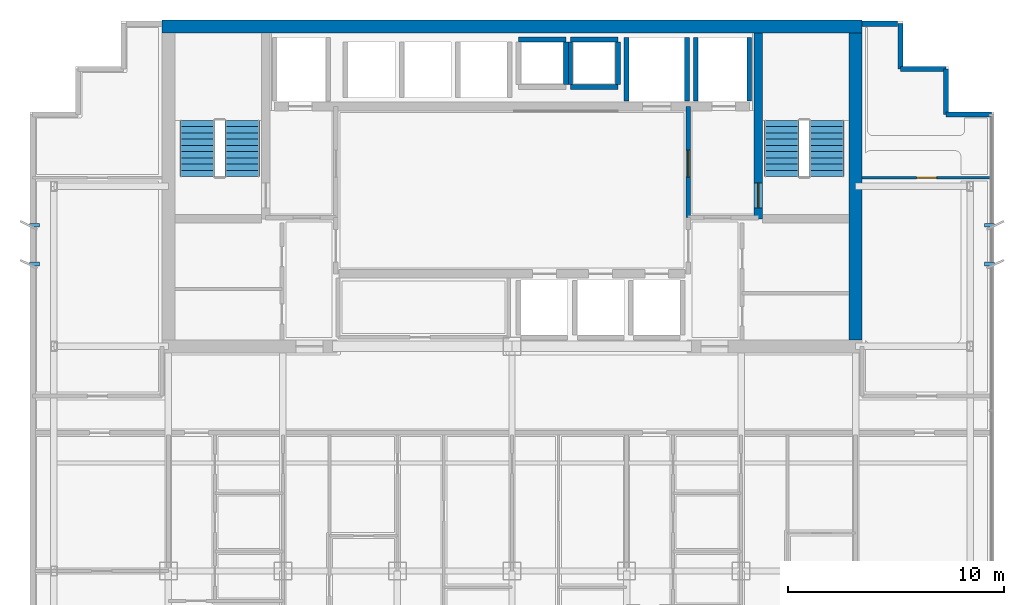
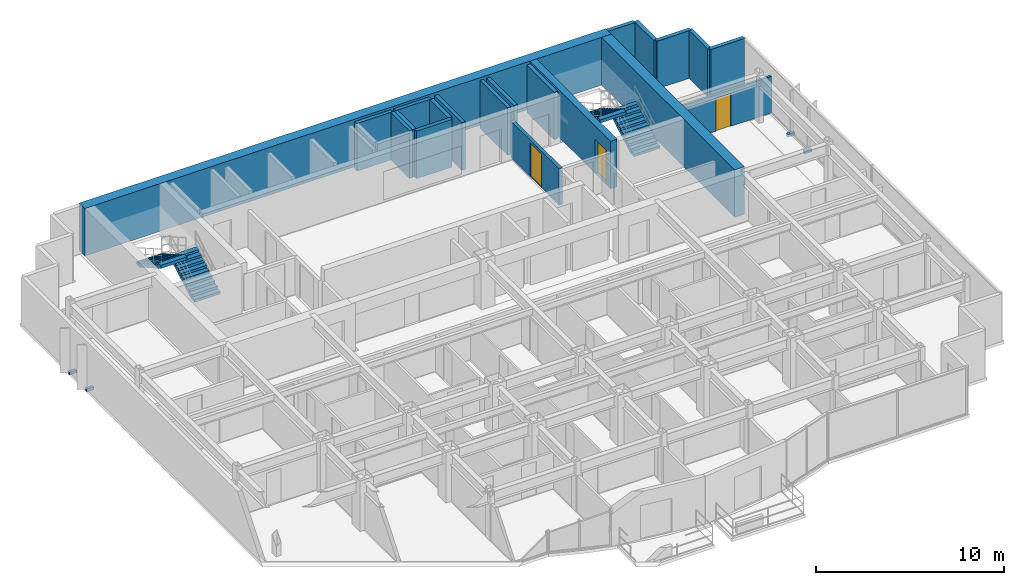
# One storey, part 11 of 13: 20 walls, 4 discrete accessories, 4 stair flights, 3 doors, 3 openings, 2 elements without a shape of their own.
"""IFC4 building model written with IfcOpenShell, lengths in metres."""

from ifc_helpers import new_model, si_unit, direction, frame, frame_2d, origin, origin_2d, place, context, subcontext, project, spatial, polyline, rectangle, outline, extrude, source, transform, mapped, material, layer, layer_set, type_object, element, fill, aggregate, save


model = new_model("IFC4")

# Units and contexts
model_context = context("Model", 3, precision=1e-05, world=origin(), true_north=direction((0.0, 1.0)))
body_context = subcontext(model_context, "Body", "Model", "MODEL_VIEW")
ifc_project = project(units=[si_unit("LENGTHUNIT", "METRE"), si_unit("AREAUNIT", "SQUARE_METRE"), si_unit("VOLUMEUNIT", "CUBIC_METRE"), si_unit("PLANEANGLEUNIT", "RADIAN"), si_unit("MASSUNIT", "GRAM", prefix="KILO")], contexts=[model_context])

# Site, building, storey
site_placement = place(None, origin())
site = spatial("IfcSite", under=ifc_project, at=site_placement, CompositionType="ELEMENT")
building_placement = place(site_placement, origin())
building = spatial("IfcBuilding", under=site, at=building_placement, Name="Qianlan Lanfeng Residences", CompositionType="ELEMENT")
storey_placement = place(building_placement, frame((0.0, 0.0, 178.800048828125)))
storey = spatial("IfcBuildingStorey", under=building, at=storey_placement, Name="L49", CompositionType="ELEMENT", Elevation=178.800048828125)

# Wall, opening, door
ifc_material_1 = material(Name="Concrete C56", Category="concrete")
ifc_layer_1 = layer(ifc_material_1, 0.39990234375)
ifc_layer_set_1 = layer_set([ifc_layer_1], Name="Concrete C56")
wall_type_1 = type_object("IfcWallType", Name="CW-RC-400", PredefinedType="SHEAR", material=ifc_layer_set_1)
wall_1_placement = place(storey_placement, frame((37.89990234375, 31.10009765625, 0.0), z_axis=(0.0, 0.0, 1.0), x_axis=(0.0, 1.0, 0.0)))
wall_1 = element("IfcWall", 1, at=wall_1_placement, inside=storey, type_object=wall_type_1, Name="L49 Core Shear Wall ST2W", PredefinedType="SHEAR", context=body_context, shape_type="SweptSolid", body=[
    extrude(rectangle(XDim=8.599853515625, YDim=0.39990234375, at=frame_2d((4.2998046875, 0.0))), origin(), (0.0, 0.0, 1.0), 3.099853515625),
])
opening_1_placement = place(wall_1_placement, frame((0.510009765625, 0.0, 0.0)))
opening_1 = element("IfcOpeningElement", 2, at=opening_1_placement, cuts=wall_1, Name="Opening L49-D08", PredefinedType="OPENING", context=body_context, shape_type="SweptSolid", body=[
    extrude(rectangle(XDim=1.14990234375, YDim=2.199951171875, at=frame_2d((0.574951171875, 1.10009765625))), frame((0.0, 0.2099609375, 0.0), z_axis=(0.0, -1.0, 0.0), x_axis=(1.0, 0.0, 0.0)), (0.0, 0.0, 1.0), 0.419921875),
])
ifc_material_2 = material(Name="Painted Galvanised Steel Fire Door", Category="steel")
door_type_1 = type_object("IfcDoorType", Name="DT-ST1", OperationType="NOTDEFINED", PredefinedType="DOOR", material=ifc_material_2)
door_1_placement = place(opening_1_placement, origin())
door_1 = element("IfcDoor", 3, at=door_1_placement, inside=storey, type_object=door_type_1, Name="L49 Exit Stair ST-2 Door L49-D08 (DT-ST1)", OperationType="SINGLE_SWING_RIGHT", OverallHeight=2.199951171875, OverallWidth=1.14990234375, PredefinedType="DOOR", context=body_context, shape_type="SweptSolid", body=[
    extrude(rectangle(XDim=1.14990234375, YDim=2.199951171875, at=frame_2d((0.574951171875, 1.10009765625))), frame((0.0, 0.02490234375, 0.0), z_axis=(0.0, -1.0, 0.0), x_axis=(1.0, 0.0, 0.0)), (0.0, 0.0, 1.0), 0.050048828125),
])
fill(opening_1, door_1)

# Walls
ifc_layer_2 = layer(ifc_material_1, 0.60009765625)
ifc_layer_set_2 = layer_set([ifc_layer_2], Name="Concrete C56")
wall_type_2 = type_object("IfcWallType", Name="CW-RC-600", PredefinedType="SHEAR", material=ifc_layer_set_2)
wall_2_placement = place(storey_placement, frame((10.300048828125, 40.0, 0.0), z_axis=(0.0, 0.0, 1.0), x_axis=(1.0, 0.0, 0.0)))
element("IfcWall", 4, at=wall_2_placement, inside=storey, type_object=wall_type_2, Name="L49 Core Shear Wall N", PredefinedType="SHEAR", context=body_context, shape_type="SweptSolid", body=[
    extrude(rectangle(XDim=32.39990234375, YDim=0.60009765625, at=frame_2d((16.199951171875, 0.0))), origin(), (0.0, 0.0, 1.0), 3.099853515625),
])
wall_3_placement = place(storey_placement, frame((42.39990234375, 25.5, 0.0), z_axis=(0.0, 0.0, 1.0), x_axis=(0.0, 1.0, 0.0)))
element("IfcWall", 5, at=wall_3_placement, inside=storey, type_object=wall_type_2, Name="L49 Core Shear Wall E", PredefinedType="SHEAR", context=body_context, shape_type="SweptSolid", body=[
    extrude(rectangle(XDim=14.199951171875, YDim=0.60009765625, at=frame_2d((7.10009765625, 0.0))), origin(), (0.0, 0.0, 1.0), 3.099853515625),
])
ifc_material_3 = material(Name="Concrete C42", Category="concrete")
ifc_layer_3 = layer(ifc_material_3, 0.239990234375)
ifc_layer_set_3 = layer_set([ifc_layer_3], Name="Concrete C42")
wall_type_3 = type_object("IfcWallType", Name="EW-240", PredefinedType="SOLIDWALL", material=ifc_layer_set_3)
wall_4_placement = place(storey_placement, frame((48.679931640625, 35.929931640625, 0.0), z_axis=(0.0, 0.0, 1.0), x_axis=(-1.0, 0.0, 0.0)))
element("IfcWall", 6, at=wall_4_placement, inside=storey, type_object=wall_type_3, Name="L49 Exterior Facade Spandrel Wall 11", PredefinedType="SOLIDWALL", context=body_context, shape_type="SweptSolid", body=[
    extrude(rectangle(XDim=2.099853515625, YDim=0.239990234375, at=frame_2d((1.0498046875, 0.0))), origin(), (0.0, 0.0, 1.0), 3.099853515625),
])
for number, where, z_axis, x_axis, name in (
    (7, (46.580078125, 35.929931640625, 0.0), (0.0, 0.0, 1.0), (0.0, 1.0, 0.0), "L49 Exterior Facade Spandrel Wall 12"),
    (8, (46.580078125, 38.030029296875, 0.0), (0.0, 0.0, 1.0), (-1.0, 0.0, 0.0), "L49 Exterior Facade Spandrel Wall 13"),
):
    element("IfcWall", number, at=place(storey_placement, frame(where, z_axis=z_axis, x_axis=x_axis)), inside=storey, type_object=wall_type_3, Name=name, PredefinedType="SOLIDWALL", context=body_context, shape_type="SweptSolid", body=[
        extrude(rectangle(XDim=2.10009765625, YDim=0.239990234375, at=frame_2d((1.050048828125, 0.0))), origin(), (0.0, 0.0, 1.0), 3.099853515625),
    ])
wall_5_placement = place(storey_placement, frame((44.47998046875, 38.030029296875, 0.0), z_axis=(0.0, 0.0, 1.0), x_axis=(0.0, 1.0, 0.0)))
element("IfcWall", 9, at=wall_5_placement, inside=storey, type_object=wall_type_3, Name="L49 Exterior Facade Spandrel Wall 14", PredefinedType="SOLIDWALL", context=body_context, shape_type="SweptSolid", body=[
    extrude(rectangle(XDim=2.099853515625, YDim=0.239990234375, at=frame_2d((1.0498046875, 0.0))), origin(), (0.0, 0.0, 1.0), 3.099853515625),
])
wall_6_placement = place(storey_placement, frame((44.35009765625, 40.1298828125, 0.0), z_axis=(0.0, 0.0, 1.0), x_axis=(-1.0, 0.0, 0.0)))
element("IfcWall", 10, at=wall_6_placement, inside=storey, type_object=wall_type_3, Name="L49 North Wing Exterior Wall E", PredefinedType="SOLIDWALL", context=body_context, shape_type="SweptSolid", body=[
    extrude(rectangle(XDim=1.650146484375, YDim=0.239990234375, at=frame_2d((0.8251953125, 0.0))), origin(), (0.0, 0.0, 1.0), 3.099853515625),
])

# Wall, opening, door
ifc_material_4 = material(Name="Moisture-Resistant Gypsum Partition 135 mm")
ifc_layer_4 = layer(ifc_material_4, 0.135009765625)
ifc_layer_set_4 = layer_set([ifc_layer_4], Name="Moisture-Resistant Gypsum Partition 135 mm")
wall_type_4 = type_object("IfcWallType", Name="PW-135", PredefinedType="PARTITIONING", material=ifc_layer_set_4)
wall_7_placement = place(storey_placement, frame((42.699951171875, 33.0, 0.0), z_axis=(0.0, 0.0, 1.0), x_axis=(1.0, 0.0, 0.0)))
wall_7 = element("IfcWall", 11, at=wall_7_placement, inside=storey, type_object=wall_type_4, Name="L49 EW North Wing Wall", PredefinedType="PARTITIONING", context=body_context, shape_type="SweptSolid", body=[
    extrude(rectangle(XDim=5.97998046875, YDim=0.135009765625, at=frame_2d((2.989990234375, 0.0))), origin(), (0.0, 0.0, 1.0), 2.3798828125),
])
opening_2_placement = place(wall_7_placement, frame((2.530029296875, 0.0, 0.0)))
opening_2 = element("IfcOpeningElement", 12, at=opening_2_placement, cuts=wall_7, Name="Opening L49-D50", PredefinedType="OPENING", context=body_context, shape_type="SweptSolid", body=[
    extrude(rectangle(XDim=0.919921875, YDim=2.14990234375, at=frame_2d((0.4599609375, 1.074951171875))), frame((0.0, 0.07763671875, 0.0), z_axis=(0.0, -1.0, 0.0), x_axis=(1.0, 0.0, 0.0)), (0.0, 0.0, 1.0), 0.155029296875),
])
ifc_material_5 = material(Name="Glazed Timber Kitchen/Study Door", Category="wood")
door_type_2 = type_object("IfcDoorType", Name="DT-INT", OperationType="NOTDEFINED", PredefinedType="DOOR", material=ifc_material_5)
door_2_placement = place(opening_2_placement, origin())
door_2 = element("IfcDoor", 13, at=door_2_placement, inside=storey, type_object=door_type_2, Name="L49 EW Inner Salon Door L49-D50 (DT-INT)", OperationType="SINGLE_SWING_RIGHT", OverallHeight=2.14990234375, OverallWidth=0.919921875, PredefinedType="DOOR", context=body_context, shape_type="SweptSolid", body=[
    extrude(rectangle(XDim=0.919921875, YDim=2.14990234375, at=frame_2d((0.4599609375, 1.074951171875))), frame((0.0, 0.02490234375, 0.0), z_axis=(0.0, -1.0, 0.0), x_axis=(1.0, 0.0, 0.0)), (0.0, 0.0, 1.0), 0.050048828125),
])
fill(opening_2, door_2)

ifc_material_6 = material(Name="Autoclaved Aerated Concrete Blockwork 200 mm", Category="masonry")
ifc_layer_5 = layer(ifc_material_6, 0.199951171875)
ifc_layer_set_5 = layer_set([ifc_layer_5], Name="Autoclaved Aerated Concrete Blockwork 200 mm")
wall_type_5 = type_object("IfcWallType", Name="PW-200", PredefinedType="PARTITIONING", material=ifc_layer_set_5)
wall_8_placement = place(storey_placement, frame((34.64990234375, 31.14990234375, 0.0), z_axis=(0.0, 0.0, 1.0), x_axis=(0.0, 1.0, 0.0)))
wall_8 = element("IfcWall", 14, at=wall_8_placement, inside=storey, type_object=wall_type_5, Name="L49 Firefighting Lobby 2 West Wall", PredefinedType="PARTITIONING", context=body_context, shape_type="SweptSolid", body=[
    extrude(rectangle(XDim=5.150146484375, YDim=0.199951171875, at=frame_2d((2.5751953125, 0.0))), origin(), (0.0, 0.0, 1.0), 2.3798828125),
])
opening_3_placement = place(wall_8_placement, frame((1.875, 0.0, 0.0)))
opening_3 = element("IfcOpeningElement", 15, at=opening_3_placement, cuts=wall_8, Name="Opening L49-D06", PredefinedType="OPENING", context=body_context, shape_type="SweptSolid", body=[
    extrude(rectangle(XDim=1.25, YDim=2.199951171875, at=frame_2d((0.625, 1.10009765625))), frame((0.0, 0.10986328125, 0.0), z_axis=(0.0, -1.0, 0.0), x_axis=(1.0, 0.0, 0.0)), (0.0, 0.0, 1.0), 0.219970703125),
])
door_type_3 = type_object("IfcDoorType", Name="DT-FFL", OperationType="NOTDEFINED", PredefinedType="DOOR", material=ifc_material_2)
door_3_placement = place(opening_3_placement, origin())
door_3 = element("IfcDoor", 16, at=door_3_placement, inside=storey, type_object=door_type_3, Name="L49 Firefighting Lobby 2 Lift Lobby Door L49-D06 (DT-FFL)", OperationType="SINGLE_SWING_RIGHT", OverallHeight=2.199951171875, OverallWidth=1.25, PredefinedType="DOOR", context=body_context, shape_type="SweptSolid", body=[
    extrude(rectangle(XDim=1.25, YDim=2.199951171875, at=frame_2d((0.625, 1.10009765625))), frame((0.0, 0.02490234375, 0.0), z_axis=(0.0, -1.0, 0.0), x_axis=(1.0, 0.0, 0.0)), (0.0, 0.0, 1.0), 0.050048828125),
])
fill(opening_3, door_3)

# Walls
ifc_material_7 = material(Name="Concrete C49", Category="concrete")
ifc_layer_6 = layer(ifc_material_7, 0.219970703125)
ifc_layer_set_6 = layer_set([ifc_layer_6], Name="Concrete C49")
wall_type_6 = type_object("IfcWallType", Name="SHW-220", PredefinedType="SOLIDWALL", material=ifc_layer_set_6)
for number, where, z_axis, x_axis, name in (
    (17, (35.0, 36.550048828125, 0.0), (0.0, 0.0, 1.0), (0.0, 1.0, 0.0), "L49 Lift FFL-2 Shaft Wall W"),
    (18, (37.47998046875, 36.550048828125, 0.0), (0.0, 0.0, 1.0), (0.0, 1.0, 0.0), "L49 Lift FFL-2 Shaft Wall E"),
    (19, (31.800048828125, 36.550048828125, 0.0), (0.0, 0.0, 1.0), (0.0, 1.0, 0.0), "L49 Lift SVL-1 Shaft Wall W"),
    (20, (34.60009765625, 36.550048828125, 0.0), (0.0, 0.0, 1.0), (0.0, 1.0, 0.0), "L49 Lift SVL-1 Shaft Wall E"),
):
    element("IfcWall", number, at=place(storey_placement, frame(where, z_axis=z_axis, x_axis=x_axis)), inside=storey, type_object=wall_type_6, Name=name, PredefinedType="SOLIDWALL", context=body_context, shape_type="SweptSolid", body=[
        extrude(rectangle(XDim=2.929931640625, YDim=0.219970703125, at=frame_2d((1.46484375, 0.0))), origin(), (0.0, 0.0, 1.0), 3.099853515625),
    ])
wall_9_placement = place(storey_placement, frame((29.0, 37.31005859375, 0.0), z_axis=(0.0, 0.0, 1.0), x_axis=(0.0, 1.0, 0.0)))
element("IfcWall", 21, at=wall_9_placement, inside=storey, type_object=wall_type_6, Name="L49 MEP Riser MEP-R1 Shaft Wall E", PredefinedType="SOLIDWALL", context=body_context, shape_type="SweptSolid", body=[
    extrude(rectangle(XDim=1.97998046875, YDim=0.219970703125, at=frame_2d((0.989990234375, 0.0))), origin(), (0.0, 0.0, 1.0), 3.099853515625),
])
wall_10_placement = place(storey_placement, frame((26.800048828125, 39.39990234375, 0.0), z_axis=(0.0, 0.0, 1.0), x_axis=(1.0, 0.0, 0.0)))
element("IfcWall", 22, at=wall_10_placement, inside=storey, type_object=wall_type_6, Name="L49 MEP Riser MEP-R1 Shaft Wall N", PredefinedType="SOLIDWALL", context=body_context, shape_type="SweptSolid", body=[
    extrude(rectangle(XDim=2.199951171875, YDim=0.219970703125, at=frame_2d((1.10009765625, 0.0))), origin(), (0.0, 0.0, 1.0), 3.099853515625),
])
for number, where, z_axis, x_axis, name in (
    (23, (29.199951171875, 37.31005859375, 0.0), (0.0, 0.0, 1.0), (0.0, 1.0, 0.0), "L49 MEP Riser MEP-R2 Shaft Wall W"),
    (24, (31.39990234375, 37.31005859375, 0.0), (0.0, 0.0, 1.0), (0.0, 1.0, 0.0), "L49 MEP Riser MEP-R2 Shaft Wall E"),
):
    element("IfcWall", number, at=place(storey_placement, frame(where, z_axis=z_axis, x_axis=x_axis)), inside=storey, type_object=wall_type_6, Name=name, PredefinedType="SOLIDWALL", context=body_context, shape_type="SweptSolid", body=[
        extrude(rectangle(XDim=1.97998046875, YDim=0.219970703125, at=frame_2d((0.989990234375, 0.0))), origin(), (0.0, 0.0, 1.0), 3.099853515625),
    ])
for number, where, z_axis, x_axis, name in (
    (25, (29.199951171875, 39.39990234375, 0.0), (0.0, 0.0, 1.0), (1.0, 0.0, 0.0), "L49 MEP Riser MEP-R2 Shaft Wall N"),
    (26, (29.199951171875, 37.199951171875, 0.0), (0.0, 0.0, 1.0), (1.0, 0.0, 0.0), "L49 MEP Riser MEP-R2 Shaft Wall S"),
):
    element("IfcWall", number, at=place(storey_placement, frame(where, z_axis=z_axis, x_axis=x_axis)), inside=storey, type_object=wall_type_6, Name=name, PredefinedType="SOLIDWALL", context=body_context, shape_type="SweptSolid", body=[
        extrude(rectangle(XDim=2.199951171875, YDim=0.219970703125, at=frame_2d((1.10009765625, 0.0))), origin(), (0.0, 0.0, 1.0), 3.099853515625),
    ])

# Stair, stair flights
stair_type = type_object("IfcStairType", Name="STR-MAIN", PredefinedType="HALF_TURN_STAIR", material=ifc_material_3)
stair_1_placement = place(storey_placement, origin())
stair_1 = element("IfcStair", 27, at=stair_1_placement, inside=storey, type_object=stair_type, Name="L49 Exit Stair ST-1", PredefinedType="HALF_TURN_STAIR")
stair_flight_type = type_object("IfcStairFlightType", Name="FLT-1720", PredefinedType="STRAIGHT", material=ifc_material_3)
stair_flight_1_placement = place(storey_placement, frame((14.02001953125, 33.050048828125, 0.0), z_axis=(0.0, 0.0, 1.0), x_axis=(0.0, 1.0, 0.0)))
stair_flight_1 = element("IfcStairFlight", 28, at=stair_flight_1_placement, type_object=stair_flight_type, Name="ST-1 flight 1", NumberOfRisers=10, NumberOfTreads=9, PredefinedType="STRAIGHT", RiserHeight=0.165, TreadLength=0.29, context=body_context, shape_type="SweptSolid", body=[
    extrude(outline(polyline([(0.0, 0.0), (0.0, 0.1650390625), (0.2900390625, 0.1650390625), (0.2900390625, 0.330078125), (0.580078125, 0.330078125), (0.580078125, 0.4951171875), (0.8701171875, 0.4951171875), (0.8701171875, 0.659912109375), (1.159912109375, 0.659912109375), (1.159912109375, 0.824951171875), (1.449951171875, 0.824951171875), (1.449951171875, 0.989990234375), (1.739990234375, 0.989990234375), (1.739990234375, 1.155029296875), (2.030029296875, 1.155029296875), (2.030029296875, 1.320068359375), (2.320068359375, 1.320068359375), (2.320068359375, 1.485107421875), (2.610107421875, 1.485107421875), (2.610107421875, 1.64990234375), (2.610107421875, 1.278076171875), (0.36376953125, 0.0), (0.0, 0.0)])), frame((0.0, 0.800048828125, 0.0), z_axis=(0.0, -1.0, 0.0), x_axis=(1.0, 0.0, 0.0)), (0.0, 0.0, 1.0), 1.60009765625),
])
stair_flight_2_placement = place(storey_placement, frame((11.93994140625, 35.659912109375, 1.64990234375), z_axis=(0.0, 0.0, 1.0), x_axis=(0.0, -1.0, 0.0)))
stair_flight_2 = element("IfcStairFlight", 29, at=stair_flight_2_placement, type_object=stair_flight_type, Name="ST-1 flight 2", NumberOfRisers=10, NumberOfTreads=9, PredefinedType="STRAIGHT", RiserHeight=0.165, TreadLength=0.29, context=body_context, shape_type="SweptSolid", body=[
    extrude(outline(polyline([(0.0, 0.0), (0.0, 0.1650390625), (0.2900390625, 0.1650390625), (0.2900390625, 0.330078125), (0.580078125, 0.330078125), (0.580078125, 0.4951171875), (0.8701171875, 0.4951171875), (0.8701171875, 0.659912109375), (1.159912109375, 0.659912109375), (1.159912109375, 0.824951171875), (1.449951171875, 0.824951171875), (1.449951171875, 0.989990234375), (1.739990234375, 0.989990234375), (1.739990234375, 1.155029296875), (2.030029296875, 1.155029296875), (2.030029296875, 1.320068359375), (2.320068359375, 1.320068359375), (2.320068359375, 1.485107421875), (2.610107421875, 1.485107421875), (2.610107421875, 1.64990234375), (2.610107421875, 1.278076171875), (0.36376953125, 0.0), (0.0, 0.0)])), frame((0.0, 0.800048828125, 0.0), z_axis=(0.0, -1.0, 0.0), x_axis=(1.0, 0.0, 0.0)), (0.0, 0.0, 1.0), 1.60009765625),
])
aggregate(stair_1, [stair_flight_1, stair_flight_2])

stair_2_placement = place(storey_placement, origin())
stair_2 = element("IfcStair", 30, at=stair_2_placement, inside=storey, type_object=stair_type, Name="L49 Exit Stair ST-2", PredefinedType="HALF_TURN_STAIR")
stair_flight_3_placement = place(storey_placement, frame((41.06005859375, 33.050048828125, 0.0), z_axis=(0.0, 0.0, 1.0), x_axis=(0.0, 1.0, 0.0)))
stair_flight_3 = element("IfcStairFlight", 31, at=stair_flight_3_placement, type_object=stair_flight_type, Name="ST-2 flight 1", NumberOfRisers=10, NumberOfTreads=9, PredefinedType="STRAIGHT", RiserHeight=0.165, TreadLength=0.29, context=body_context, shape_type="SweptSolid", body=[
    extrude(outline(polyline([(0.0, 0.0), (0.0, 0.1650390625), (0.2900390625, 0.1650390625), (0.2900390625, 0.330078125), (0.580078125, 0.330078125), (0.580078125, 0.4951171875), (0.8701171875, 0.4951171875), (0.8701171875, 0.659912109375), (1.159912109375, 0.659912109375), (1.159912109375, 0.824951171875), (1.449951171875, 0.824951171875), (1.449951171875, 0.989990234375), (1.739990234375, 0.989990234375), (1.739990234375, 1.155029296875), (2.030029296875, 1.155029296875), (2.030029296875, 1.320068359375), (2.320068359375, 1.320068359375), (2.320068359375, 1.485107421875), (2.610107421875, 1.485107421875), (2.610107421875, 1.64990234375), (2.610107421875, 1.278076171875), (0.36376953125, 0.0), (0.0, 0.0)])), frame((0.0, 0.800048828125, 0.0), z_axis=(0.0, -1.0, 0.0), x_axis=(1.0, 0.0, 0.0)), (0.0, 0.0, 1.0), 1.60009765625),
])
stair_flight_4_placement = place(storey_placement, frame((38.97998046875, 35.659912109375, 1.64990234375), z_axis=(0.0, 0.0, 1.0), x_axis=(0.0, -1.0, 0.0)))
stair_flight_4 = element("IfcStairFlight", 32, at=stair_flight_4_placement, type_object=stair_flight_type, Name="ST-2 flight 2", NumberOfRisers=10, NumberOfTreads=9, PredefinedType="STRAIGHT", RiserHeight=0.165, TreadLength=0.29, context=body_context, shape_type="SweptSolid", body=[
    extrude(outline(polyline([(0.0, 0.0), (0.0, 0.1650390625), (0.2900390625, 0.1650390625), (0.2900390625, 0.330078125), (0.580078125, 0.330078125), (0.580078125, 0.4951171875), (0.8701171875, 0.4951171875), (0.8701171875, 0.659912109375), (1.159912109375, 0.659912109375), (1.159912109375, 0.824951171875), (1.449951171875, 0.824951171875), (1.449951171875, 0.989990234375), (1.739990234375, 0.989990234375), (1.739990234375, 1.155029296875), (2.030029296875, 1.155029296875), (2.030029296875, 1.320068359375), (2.320068359375, 1.320068359375), (2.320068359375, 1.485107421875), (2.610107421875, 1.485107421875), (2.610107421875, 1.64990234375), (2.610107421875, 1.278076171875), (0.36376953125, 0.0), (0.0, 0.0)])), frame((0.0, 0.800048828125, 0.0), z_axis=(0.0, -1.0, 0.0), x_axis=(1.0, 0.0, 0.0)), (0.0, 0.0, 1.0), 1.60009765625),
])
aggregate(stair_2, [stair_flight_3, stair_flight_4])

# Discrete accessories
ifc_material_8 = material(Name="Stainless Steel Facade Bracket", Category="steel")
discrete_accessory_type = type_object("IfcDiscreteAccessoryType", Name="BRK-SS-350", PredefinedType="BRACKET", material=ifc_material_8)
shared_shape = source(origin(), body_context, "Body", "SweptSolid", [
    extrude(rectangle(XDim=0.449951171875, YDim=0.179931640625, at=origin_2d()), origin(), (0.0, 0.0, 1.0), 0.179931640625),
])
for number, where, z_axis, x_axis, name in (
    (33, (4.39990234375, 29.0, -0.14990234375), (0.0, 0.0, 1.0), (1.0, 0.0, 0.0), "L49 Raked Solar Fin Support Bracket W1"),
    (34, (4.39990234375, 30.800048828125, -0.14990234375), (0.0, 0.0, 1.0), (1.0, 0.0, 0.0), "L49 Raked Solar Fin Support Bracket W2"),
    (35, (48.60009765625, 29.0, -0.14990234375), (0.0, 0.0, 1.0), (1.0, 0.0, 0.0), "L49 Raked Solar Fin Support Bracket E1"),
    (36, (48.60009765625, 30.800048828125, -0.14990234375), (0.0, 0.0, 1.0), (1.0, 0.0, 0.0), "L49 Raked Solar Fin Support Bracket E2"),
):
    element("IfcDiscreteAccessory", number, at=place(storey_placement, frame(where, z_axis=z_axis, x_axis=x_axis)), inside=storey, type_object=discrete_accessory_type, Name=name, PredefinedType="BRACKET", context=body_context, shape_type="MappedRepresentation", body=[
        mapped(shared_shape, transform((0.0, 0.0, 0.0), scale=1.0)),
    ])

save(model, "model.ifc")
